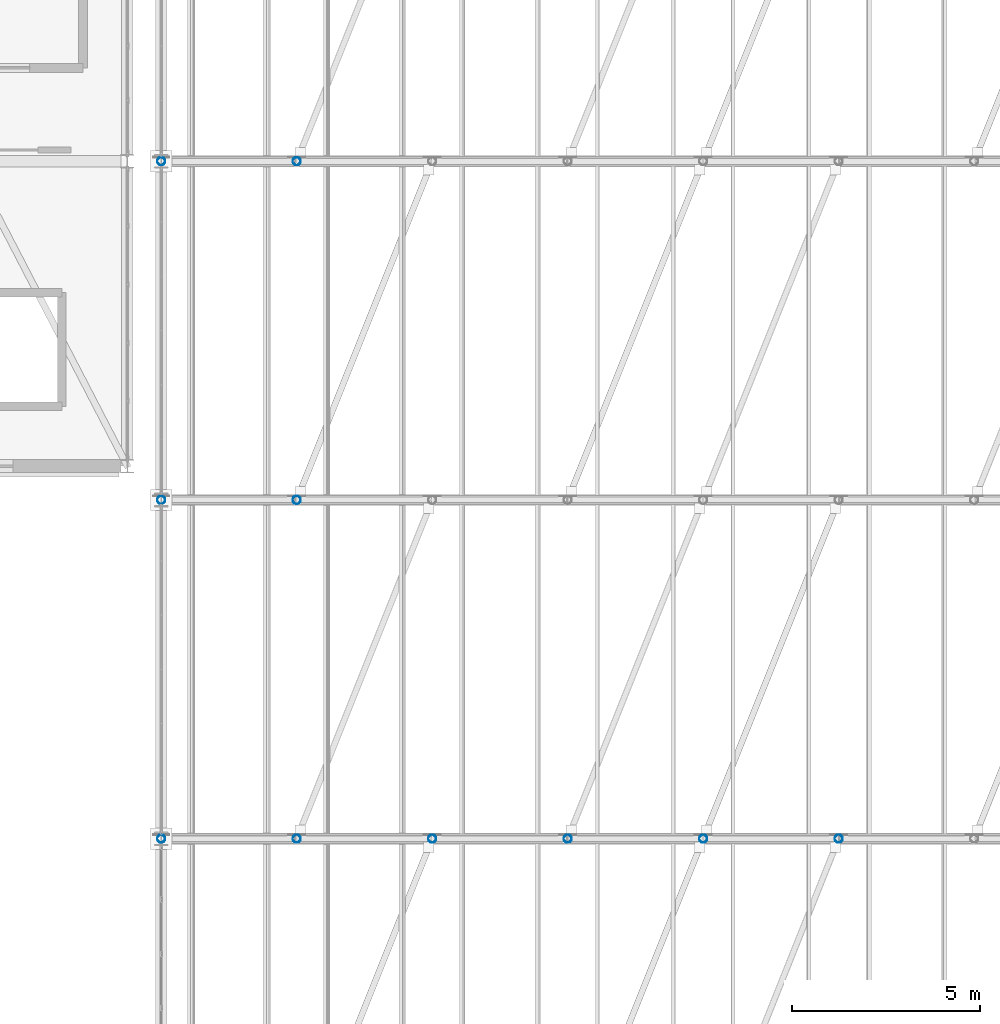
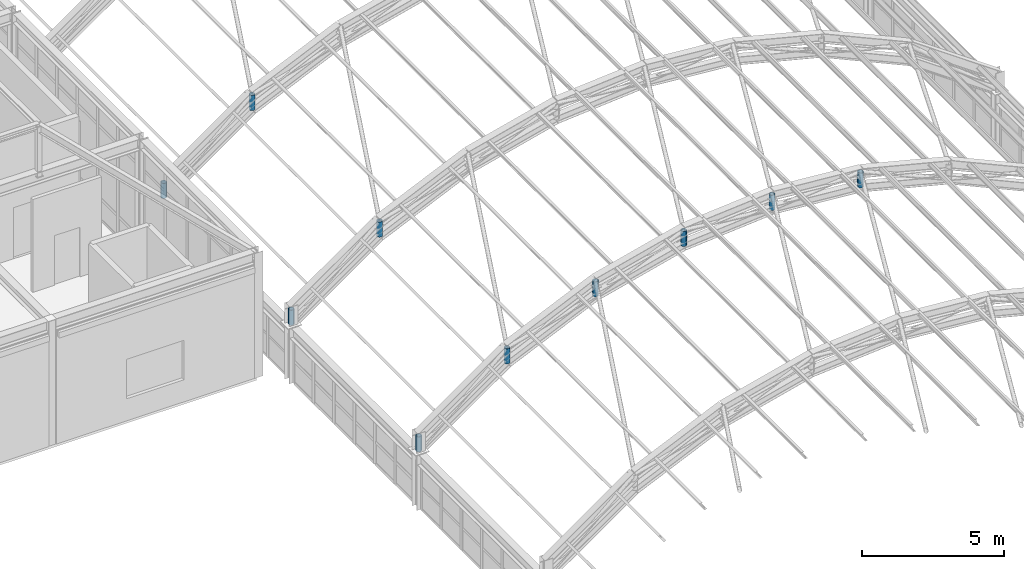
# One storey, part 90 of 121: 10 members.
"""IFC4 building model written with IfcOpenShell, lengths in metres."""

from ifc_helpers import new_model, si_unit, direction, frame, origin, origin_2d, place, context, subcontext, project, spatial, hollow_circle, extrude, material, material_profile, profile_set, type_object, element, save


model = new_model("IFC4")

# Units and contexts
model_context = context("Model", 3, precision=1e-05, world=origin(), true_north=direction((0.0, 1.0)))
body_context = subcontext(model_context, "Body", "Model", "MODEL_VIEW")
ifc_project = project(units=[si_unit("LENGTHUNIT", "METRE"), si_unit("AREAUNIT", "SQUARE_METRE"), si_unit("VOLUMEUNIT", "CUBIC_METRE"), si_unit("PLANEANGLEUNIT", "RADIAN"), si_unit("MASSUNIT", "GRAM", prefix="KILO")], contexts=[model_context])

# Site, building, storey
site_placement = place(None, origin())
site = spatial("IfcSite", under=ifc_project, at=site_placement, CompositionType="ELEMENT")
building_placement = place(site_placement, origin())
building = spatial("IfcBuilding", under=site, at=building_placement, Name="Canglan Escarpment Cableway Terminal", CompositionType="ELEMENT")
storey_placement = place(building_placement, frame((0.0, 0.0, 24.60009765625)))
storey = spatial("IfcBuildingStorey", under=building, at=storey_placement, Name="L05", CompositionType="ELEMENT", Elevation=24.60009765625)

# Members
ifc_material = material(Name="Steel Q355B", Category="steel")
ifc_material_profile = material_profile(ifc_material, hollow_circle(Radius=0.109619140625, WallThickness=0.008056640625, at=origin_2d()), Name="CHS 219.1x8")
ifc_profile_set = profile_set([ifc_material_profile], Name="Steel Q355B")
member_type = type_object("IfcMemberType", Name="MB-ARCH-WEB-CHS219", PredefinedType="BRACE", material=ifc_profile_set)
for number, where, z_axis, x_axis, name in (
    (1, (141.199951171875, 79.0, 4.966552734375), (0.0, 0.0, 1.0), (1.0, 0.0, 0.0), "Vault ROOF TRUSS vertical strut AR-WB1"),
    (2, (144.800048828125, 79.0, 6.58837890625), (0.0, 0.0, 1.0), (1.0, 0.0, 0.0), "Vault ROOF TRUSS vertical strut AR-WB1"),
    (3, (148.39990234375, 79.0, 7.50341796875), (0.0, 0.0, 1.0), (1.0, 0.0, 0.0), "Vault ROOF TRUSS vertical strut AR-WB1"),
):
    element("IfcMember", number, at=place(storey_placement, frame(where, z_axis=z_axis, x_axis=x_axis)), inside=storey, type_object=member_type, Name=name, PredefinedType="BRACE", context=body_context, shape_type="SweptSolid", body=[
        extrude(hollow_circle(Radius=0.109619140625, WallThickness=0.008056640625, at=origin_2d()), origin(), (0.0, 0.0, 1.0), 0.64990234375),
    ])
member_1_placement = place(storey_placement, frame((152.0, 79.0, 7.7998046875), z_axis=(0.0, 0.0, 1.0), x_axis=(1.0, 0.0, 0.0)))
element("IfcMember", 4, at=member_1_placement, inside=storey, type_object=member_type, Name="Vault ROOF TRUSS vertical strut AR-WB1", PredefinedType="BRACE", context=body_context, shape_type="SweptSolid", body=[
    extrude(hollow_circle(Radius=0.109619140625, WallThickness=0.008056640625, at=origin_2d()), origin(), (0.0, 0.0, 1.0), 0.650146484375),
])
member_2_placement = place(storey_placement, frame((155.60009765625, 79.0, 7.50341796875), z_axis=(0.0, 0.0, 1.0), x_axis=(1.0, 0.0, 0.0)))
element("IfcMember", 5, at=member_2_placement, inside=storey, type_object=member_type, Name="Vault ROOF TRUSS vertical strut AR-WB1", PredefinedType="BRACE", context=body_context, shape_type="SweptSolid", body=[
    extrude(hollow_circle(Radius=0.109619140625, WallThickness=0.008056640625, at=origin_2d()), origin(), (0.0, 0.0, 1.0), 0.64990234375),
])
member_3_placement = place(storey_placement, frame((137.60009765625, 79.0, 2.432373046875), z_axis=(0.0, 0.0, 1.0), x_axis=(1.0, 0.0, 0.0)))
element("IfcMember", 6, at=member_3_placement, inside=storey, type_object=member_type, Name="Vault ROOF TRUSS springing strut AR-WB1", PredefinedType="BRACE", context=body_context, shape_type="SweptSolid", body=[
    extrude(hollow_circle(Radius=0.109619140625, WallThickness=0.008056640625, at=origin_2d()), origin(), (0.0, 0.0, 1.0), 0.650146484375),
])
member_4_placement = place(storey_placement, frame((141.199951171875, 88.0, 4.966552734375), z_axis=(0.0, 0.0, 1.0), x_axis=(1.0, 0.0, 0.0)))
element("IfcMember", 7, at=member_4_placement, inside=storey, type_object=member_type, Name="Vault ROOF TRUSS vertical strut AR-WB1", PredefinedType="BRACE", context=body_context, shape_type="SweptSolid", body=[
    extrude(hollow_circle(Radius=0.109619140625, WallThickness=0.008056640625, at=origin_2d()), origin(), (0.0, 0.0, 1.0), 0.64990234375),
])
member_5_placement = place(storey_placement, frame((137.60009765625, 88.0, 2.432373046875), z_axis=(0.0, 0.0, 1.0), x_axis=(1.0, 0.0, 0.0)))
element("IfcMember", 8, at=member_5_placement, inside=storey, type_object=member_type, Name="Vault ROOF TRUSS springing strut AR-WB1", PredefinedType="BRACE", context=body_context, shape_type="SweptSolid", body=[
    extrude(hollow_circle(Radius=0.109619140625, WallThickness=0.008056640625, at=origin_2d()), origin(), (0.0, 0.0, 1.0), 0.650146484375),
])
member_6_placement = place(storey_placement, frame((141.199951171875, 97.0, 4.966552734375), z_axis=(0.0, 0.0, 1.0), x_axis=(1.0, 0.0, 0.0)))
element("IfcMember", 9, at=member_6_placement, inside=storey, type_object=member_type, Name="Vault ROOF TRUSS vertical strut AR-WB1", PredefinedType="BRACE", context=body_context, shape_type="SweptSolid", body=[
    extrude(hollow_circle(Radius=0.109619140625, WallThickness=0.008056640625, at=origin_2d()), origin(), (0.0, 0.0, 1.0), 0.64990234375),
])
member_7_placement = place(storey_placement, frame((137.60009765625, 97.0, 2.432373046875), z_axis=(0.0, 0.0, 1.0), x_axis=(1.0, 0.0, 0.0)))
element("IfcMember", 10, at=member_7_placement, inside=storey, type_object=member_type, Name="Vault ROOF TRUSS springing strut AR-WB1", PredefinedType="BRACE", context=body_context, shape_type="SweptSolid", body=[
    extrude(hollow_circle(Radius=0.109619140625, WallThickness=0.008056640625, at=origin_2d()), origin(), (0.0, 0.0, 1.0), 0.650146484375),
])

save(model, "model.ifc")
